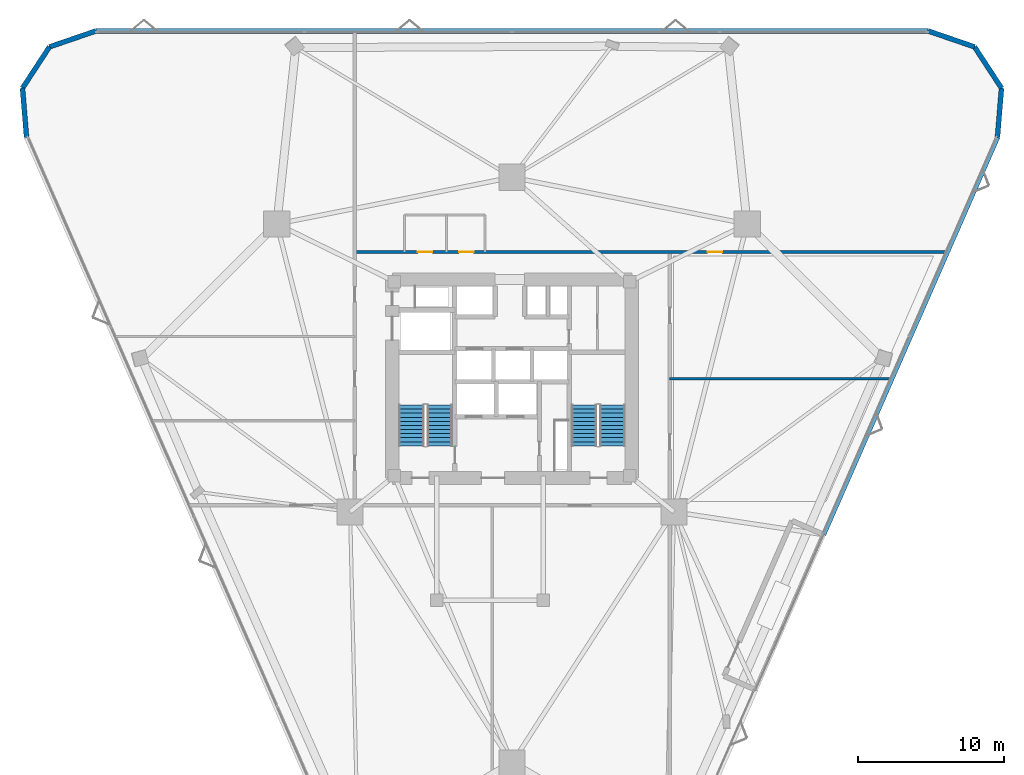
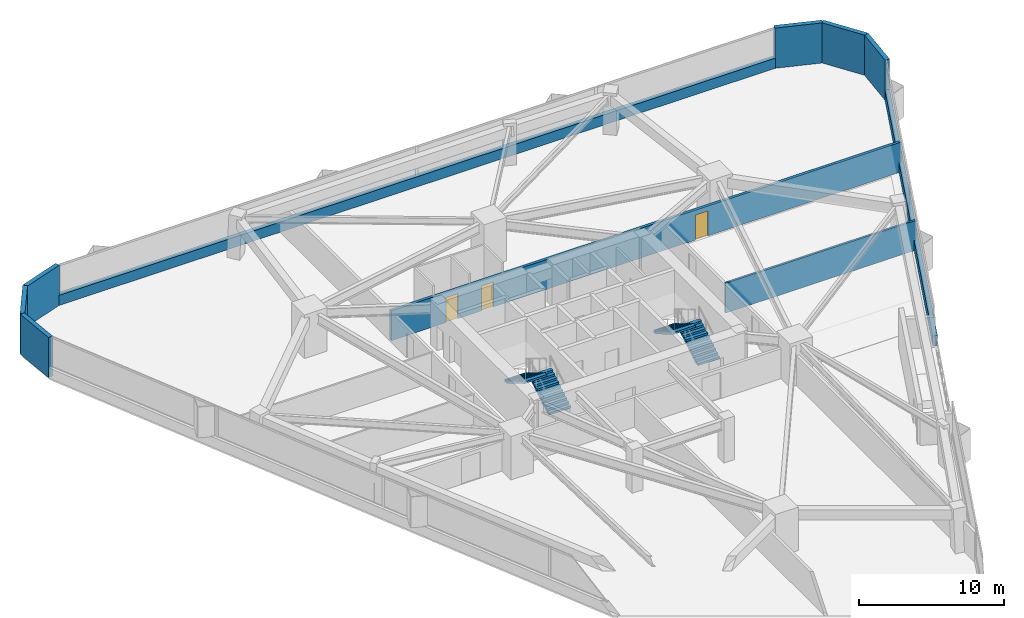
# One storey, part 14 of 16: 10 walls, 4 stair flights, 3 doors, 3 openings, 2 elements without a shape of their own.
"""IFC4 building model written with IfcOpenShell, lengths in metres."""

from ifc_helpers import new_model, si_unit, direction, frame, frame_2d, origin, place, context, subcontext, project, spatial, polyline, rectangle, outline, extrude, material, layer, layer_set, type_object, element, fill, aggregate, save


model = new_model("IFC4")

# Units and contexts
model_context = context("Model", 3, precision=1e-05, world=origin(), true_north=direction((0.0, 1.0)))
body_context = subcontext(model_context, "Body", "Model", "MODEL_VIEW")
ifc_project = project(units=[si_unit("LENGTHUNIT", "METRE"), si_unit("AREAUNIT", "SQUARE_METRE"), si_unit("VOLUMEUNIT", "CUBIC_METRE"), si_unit("PLANEANGLEUNIT", "RADIAN"), si_unit("MASSUNIT", "GRAM", prefix="KILO")], contexts=[model_context])

# Site, building, storey
site_placement = place(None, origin())
site = spatial("IfcSite", under=ifc_project, at=site_placement, CompositionType="ELEMENT")
building_placement = place(site_placement, origin())
building = spatial("IfcBuilding", under=site, at=building_placement, Name="Talyreon Biosciences Tower", CompositionType="ELEMENT")
storey_placement = place(building_placement, frame((0.0, 0.0, 44.699951171875)))
storey = spatial("IfcBuildingStorey", under=building, at=storey_placement, Name="L11", CompositionType="ELEMENT", Elevation=44.699951171875)

# Wall, openings, doors
ifc_material_1 = material(Name="Gypsum fireboard acoustic stud", Category="gypsum")
ifc_layer_1 = layer(ifc_material_1, 0.219970703125)
ifc_layer_set_1 = layer_set([ifc_layer_1], Name="Gypsum fireboard acoustic stud")
wall_type_1 = type_object("IfcWallType", Name="CorridorRatedPartition_220", PredefinedType="PARTITIONING", material=ifc_layer_set_1)
wall_1_placement = place(storey_placement, frame((55.22998046875, 76.669921875, 0.0), z_axis=(0.0, 0.0, 1.0), x_axis=(1.0, 0.0, 0.0)))
wall_1 = element("IfcWall", 1, at=wall_1_placement, inside=storey, type_object=wall_type_1, Name="L11 Interior Wall IW-L11-COR-N", PredefinedType="PARTITIONING", context=body_context, shape_type="SweptSolid", body=[
    extrude(rectangle(XDim=40.4775390625, YDim=0.219970703125, at=frame_2d((20.23876953125, 0.0))), origin(), (0.0, 0.0, 1.0), 2.505126953125),
])
opening_1_placement = place(wall_1_placement, frame((4.330078125, 0.0, 0.0)))
opening_1 = element("IfcOpeningElement", 2, at=opening_1_placement, cuts=wall_1, Name="Opening DR-L11-WC", PredefinedType="OPENING", context=body_context, shape_type="SweptSolid", body=[
    extrude(rectangle(XDim=0.97998046875, YDim=2.10009765625, at=frame_2d((0.489990234375, 1.050048828125))), frame((0.0, 0.119873046875, 0.0), z_axis=(0.0, -1.0, 0.0), x_axis=(1.0, 0.0, 0.0)), (0.0, 0.0, 1.0), 0.239990234375),
])
opening_2_placement = place(wall_1_placement, frame((7.155029296875, 0.0, 0.0)))
opening_2 = element("IfcOpeningElement", 3, at=opening_2_placement, cuts=wall_1, Name="Opening DR-L11-AWC", PredefinedType="OPENING", context=body_context, shape_type="SweptSolid", body=[
    extrude(rectangle(XDim=0.97998046875, YDim=2.10009765625, at=frame_2d((0.489990234375, 1.050048828125))), frame((0.0, 0.119873046875, 0.0), z_axis=(0.0, -1.0, 0.0), x_axis=(1.0, 0.0, 0.0)), (0.0, 0.0, 1.0), 0.239990234375),
])
opening_3_placement = place(wall_1_placement, frame((24.1640625, 0.0, 0.0)))
opening_3 = element("IfcOpeningElement", 4, at=opening_3_placement, cuts=wall_1, Name="Opening DR-L11-N1A", PredefinedType="OPENING", context=body_context, shape_type="SweptSolid", body=[
    extrude(rectangle(XDim=1.0, YDim=2.10009765625, at=frame_2d((0.5, 1.050048828125))), frame((0.0, 0.119873046875, 0.0), z_axis=(0.0, -1.0, 0.0), x_axis=(1.0, 0.0, 0.0)), (0.0, 0.0, 1.0), 0.239990234375),
])
ifc_material_2 = material(Name="Laminate moisture-resistant door", Category="wood")
door_type_1 = type_object("IfcDoorType", Name="AccessibleToiletDoor_980x2100", OperationType="NOTDEFINED", PredefinedType="DOOR", material=ifc_material_2)
door_1_placement = place(opening_1_placement, origin())
door_1 = element("IfcDoor", 5, at=door_1_placement, inside=storey, type_object=door_type_1, Name="L11 Interior Door DR-L11-WC", OperationType="SINGLE_SWING_LEFT", OverallHeight=2.10009765625, OverallWidth=0.97998046875, PredefinedType="DOOR", context=body_context, shape_type="SweptSolid", body=[
    extrude(rectangle(XDim=0.97998046875, YDim=2.10009765625, at=frame_2d((0.489990234375, 1.050048828125))), frame((0.0, 0.02490234375, 0.0), z_axis=(0.0, -1.0, 0.0), x_axis=(1.0, 0.0, 0.0)), (0.0, 0.0, 1.0), 0.050048828125),
])
fill(opening_1, door_1)
door_2_placement = place(opening_2_placement, origin())
door_2 = element("IfcDoor", 6, at=door_2_placement, inside=storey, type_object=door_type_1, Name="L11 Interior Door DR-L11-AWC", OperationType="SINGLE_SWING_RIGHT", OverallHeight=2.10009765625, OverallWidth=0.97998046875, PredefinedType="DOOR", context=body_context, shape_type="SweptSolid", body=[
    extrude(rectangle(XDim=0.97998046875, YDim=2.10009765625, at=frame_2d((0.489990234375, 1.050048828125))), frame((0.0, 0.02490234375, 0.0), z_axis=(0.0, -1.0, 0.0), x_axis=(1.0, 0.0, 0.0)), (0.0, 0.0, 1.0), 0.050048828125),
])
fill(opening_2, door_2)
ifc_material_3 = material(Name="Acoustic oak veneer office door", Category="wood")
door_type_2 = type_object("IfcDoorType", Name="WriteupOfficeDoor_1000x2100", OperationType="NOTDEFINED", PredefinedType="DOOR", material=ifc_material_3)
door_3_placement = place(opening_3_placement, origin())
door_3 = element("IfcDoor", 7, at=door_3_placement, inside=storey, type_object=door_type_2, Name="L11 Interior Door DR-L11-N1A", OperationType="SINGLE_SWING_LEFT", OverallHeight=2.10009765625, OverallWidth=1.0, PredefinedType="DOOR", context=body_context, shape_type="SweptSolid", body=[
    extrude(rectangle(XDim=1.0, YDim=2.10009765625, at=frame_2d((0.5, 1.050048828125))), frame((0.0, 0.02490234375, 0.0), z_axis=(0.0, -1.0, 0.0), x_axis=(1.0, 0.0, 0.0)), (0.0, 0.0, 1.0), 0.050048828125),
])
fill(opening_3, door_3)

# Walls
ifc_material_4 = material(Name="Gypsum acoustic stud partition", Category="gypsum")
ifc_layer_2 = layer(ifc_material_4, 0.159912109375)
ifc_layer_set_2 = layer_set([ifc_layer_2], Name="Gypsum acoustic stud partition")
wall_type_2 = type_object("IfcWallType", Name="LabSeparationPartition_160", PredefinedType="PARTITIONING", material=ifc_layer_set_2)
wall_2_placement = place(storey_placement, frame((76.800048828125, 68.0, 0.0), z_axis=(0.0, 0.0, 1.0), x_axis=(1.0, 0.0, 0.0)))
element("IfcWall", 8, at=wall_2_placement, inside=storey, type_object=wall_type_2, Name="L11 Interior Wall IW-L11-EDIV1", PredefinedType="PARTITIONING", context=body_context, shape_type="SweptSolid", body=[
    extrude(rectangle(XDim=15.111083984375, YDim=0.159912109375, at=frame_2d((7.5556640625, 0.0))), origin(), (0.0, 0.0, 1.0), 2.505126953125),
])
ifc_material_5 = material(Name="Precast concrete C45/55", Category="concrete")
ifc_layer_3 = layer(ifc_material_5, 0.340087890625)
ifc_layer_set_3 = layer_set([ifc_layer_3], Name="Precast concrete C45/55")
wall_type_3 = type_object("IfcWallType", Name="PrecastConcreteSpandrelWall_340", PredefinedType="STANDARD", material=ifc_layer_set_3)
wall_3_placement = place(storey_placement, frame((32.755859375, 84.534912109375, 0.0), z_axis=(0.0, 0.0, 1.0), x_axis=(-0.082010022953, 0.996631504687, 0.0)))
element("IfcWall", 9, at=wall_3_placement, inside=storey, type_object=wall_type_3, Name="L11 Rounded-Corner Concrete Pier 00", PredefinedType="STANDARD", context=body_context, shape_type="SweptSolid", body=[
    extrude(rectangle(XDim=3.3759765625, YDim=0.340087890625, at=frame_2d((1.68798828125, 0.0))), origin(), (0.0, 0.0, 1.0), 3.375),
])
wall_4_placement = place(storey_placement, frame((32.47900390625, 87.8994140625, 0.0), z_axis=(0.0, 0.0, 1.0), x_axis=(0.547200646652, 0.837001464935, 0.0)))
element("IfcWall", 10, at=wall_4_placement, inside=storey, type_object=wall_type_3, Name="L11 Rounded-Corner Concrete Pier 01", PredefinedType="STANDARD", context=body_context, shape_type="SweptSolid", body=[
    extrude(rectangle(XDim=3.375732421875, YDim=0.340087890625, at=frame_2d((1.68798828125, 0.0))), origin(), (0.0, 0.0, 1.0), 3.375),
])
wall_5_placement = place(storey_placement, frame((34.326171875, 90.724853515625, 0.0), z_axis=(0.0, 0.0, 1.0), x_axis=(0.945840034207, 0.324633069314, 0.0)))
element("IfcWall", 11, at=wall_5_placement, inside=storey, type_object=wall_type_3, Name="L11 Rounded-Corner Concrete Pier 02", PredefinedType="STANDARD", context=body_context, shape_type="SweptSolid", body=[
    extrude(rectangle(XDim=3.3759765625, YDim=0.340087890625, at=frame_2d((1.68798828125, 0.0))), origin(), (0.0, 0.0, 1.0), 3.375),
])
wall_6_placement = place(storey_placement, frame((37.519287109375, 91.82080078125, 0.0), z_axis=(0.0, 0.0, 1.0), x_axis=(1.0, 0.0, 0.0)))
element("IfcWall", 12, at=wall_6_placement, inside=storey, type_object=wall_type_3, Name="L11 Expressed Concrete Sill Wall 03", PredefinedType="STANDARD", context=body_context, shape_type="SweptSolid", body=[
    extrude(rectangle(XDim=56.96142578125, YDim=0.340087890625, at=frame_2d((28.480712890625, 0.0))), origin(), (0.0, 0.0, 1.0), 0.85009765625),
])
wall_7_placement = place(storey_placement, frame((94.480712890625, 91.82080078125, 0.0), z_axis=(0.0, 0.0, 1.0), x_axis=(0.945840034207, -0.324633069314, 0.0)))
element("IfcWall", 13, at=wall_7_placement, inside=storey, type_object=wall_type_3, Name="L11 Rounded-Corner Concrete Pier 04", PredefinedType="STANDARD", context=body_context, shape_type="SweptSolid", body=[
    extrude(rectangle(XDim=3.3759765625, YDim=0.340087890625, at=frame_2d((1.68798828125, 0.0))), origin(), (0.0, 0.0, 1.0), 3.375),
])
wall_8_placement = place(storey_placement, frame((97.673828125, 90.724853515625, 0.0), z_axis=(0.0, 0.0, 1.0), x_axis=(0.547200646652, -0.837001464935, 0.0)))
element("IfcWall", 14, at=wall_8_placement, inside=storey, type_object=wall_type_3, Name="L11 Rounded-Corner Concrete Pier 05", PredefinedType="STANDARD", context=body_context, shape_type="SweptSolid", body=[
    extrude(rectangle(XDim=3.375732421875, YDim=0.340087890625, at=frame_2d((1.68798828125, 0.0))), origin(), (0.0, 0.0, 1.0), 3.375),
])
wall_9_placement = place(storey_placement, frame((99.52099609375, 87.8994140625, 0.0), z_axis=(0.0, 0.0, 1.0), x_axis=(-0.082010022953, -0.996631504687, 0.0)))
element("IfcWall", 15, at=wall_9_placement, inside=storey, type_object=wall_type_3, Name="L11 Rounded-Corner Concrete Pier 06", PredefinedType="STANDARD", context=body_context, shape_type="SweptSolid", body=[
    extrude(rectangle(XDim=3.3759765625, YDim=0.340087890625, at=frame_2d((1.68798828125, 0.0))), origin(), (0.0, 0.0, 1.0), 3.375),
])
wall_10_placement = place(storey_placement, frame((99.244140625, 84.534912109375, 0.0), z_axis=(0.0, 0.0, 1.0), x_axis=(-0.401102097931, -0.916033354761, 0.0)))
element("IfcWall", 16, at=wall_10_placement, inside=storey, type_object=wall_type_3, Name="L11 Expressed Concrete Sill Wall 07", PredefinedType="STANDARD", context=body_context, shape_type="SweptSolid", body=[
    extrude(rectangle(XDim=29.703369140625, YDim=0.340087890625, at=frame_2d((14.8515625, 0.0))), origin(), (0.0, 0.0, 1.0), 0.85009765625),
])

# Stair, stair flights
ifc_material_6 = material(Name="Concrete C40/50", Category="concrete")
stair_type = type_object("IfcStairType", Name="DoglegEscapeStair_3650", PredefinedType="HALF_TURN_STAIR", material=ifc_material_6)
stair_1_placement = place(storey_placement, origin())
stair_1 = element("IfcStair", 17, at=stair_1_placement, inside=storey, type_object=stair_type, Name="L11 Core Escape Stair 1", PredefinedType="HALF_TURN_STAIR")
stair_flight_type = type_object("IfcStairFlightType", Name="PrecastStairFlight_3650", PredefinedType="STRAIGHT", material=ifc_material_6)
stair_flight_1_placement = place(storey_placement, frame((61.06005859375, 63.39990234375, 0.0), z_axis=(0.0, 0.0, 1.0), x_axis=(0.0, 1.0, 0.0)))
stair_flight_1 = element("IfcStairFlight", 18, at=stair_flight_1_placement, type_object=stair_flight_type, Name="ST-1 flight 1", NumberOfRisers=11, NumberOfTreads=10, PredefinedType="STRAIGHT", RiserHeight=0.165909091, TreadLength=0.28, context=body_context, shape_type="SweptSolid", body=[
    extrude(outline(polyline([(0.0, 0.0), (0.0, 0.166015625), (0.280029296875, 0.166015625), (0.280029296875, 0.331787109375), (0.56005859375, 0.331787109375), (0.56005859375, 0.497802734375), (0.840087890625, 0.497802734375), (0.840087890625, 0.66357421875), (1.1201171875, 0.66357421875), (1.1201171875, 0.82958984375), (1.39990234375, 0.82958984375), (1.39990234375, 0.995361328125), (1.679931640625, 0.995361328125), (1.679931640625, 1.161376953125), (1.9599609375, 1.161376953125), (1.9599609375, 1.327392578125), (2.239990234375, 1.327392578125), (2.239990234375, 1.4931640625), (2.52001953125, 1.4931640625), (2.52001953125, 1.6591796875), (2.800048828125, 1.6591796875), (2.800048828125, 1.824951171875), (2.800048828125, 1.48486328125), (0.2939453125, 0.0), (0.0, 0.0)])), frame((0.0, 0.8701171875, 0.0), z_axis=(0.0, -1.0, 0.0), x_axis=(1.0, 0.0, 0.0)), (0.0, 0.0, 1.0), 1.739990234375),
])
stair_flight_2_placement = place(storey_placement, frame((59.1201171875, 66.199951171875, 1.824951171875), z_axis=(0.0, 0.0, 1.0), x_axis=(0.0, -1.0, 0.0)))
stair_flight_2 = element("IfcStairFlight", 19, at=stair_flight_2_placement, type_object=stair_flight_type, Name="ST-1 flight 2", NumberOfRisers=11, NumberOfTreads=10, PredefinedType="STRAIGHT", RiserHeight=0.165909091, TreadLength=0.28, context=body_context, shape_type="SweptSolid", body=[
    extrude(outline(polyline([(0.0, 0.0), (0.0, 0.166015625), (0.280029296875, 0.166015625), (0.280029296875, 0.331787109375), (0.56005859375, 0.331787109375), (0.56005859375, 0.497802734375), (0.840087890625, 0.497802734375), (0.840087890625, 0.66357421875), (1.1201171875, 0.66357421875), (1.1201171875, 0.82958984375), (1.39990234375, 0.82958984375), (1.39990234375, 0.995361328125), (1.679931640625, 0.995361328125), (1.679931640625, 1.161376953125), (1.9599609375, 1.161376953125), (1.9599609375, 1.327392578125), (2.239990234375, 1.327392578125), (2.239990234375, 1.4931640625), (2.52001953125, 1.4931640625), (2.52001953125, 1.6591796875), (2.800048828125, 1.6591796875), (2.800048828125, 1.824951171875), (2.800048828125, 1.48486328125), (0.2939453125, 0.0), (0.0, 0.0)])), frame((0.0, 0.8701171875, 0.0), z_axis=(0.0, -1.0, 0.0), x_axis=(1.0, 0.0, 0.0)), (0.0, 0.0, 1.0), 1.739990234375),
])
aggregate(stair_1, [stair_flight_1, stair_flight_2])

stair_2_placement = place(storey_placement, origin())
stair_2 = element("IfcStair", 20, at=stair_2_placement, inside=storey, type_object=stair_type, Name="L11 Core Escape Stair 2", PredefinedType="HALF_TURN_STAIR")
stair_flight_3_placement = place(storey_placement, frame((72.8798828125, 63.39990234375, 0.0), z_axis=(0.0, 0.0, 1.0), x_axis=(0.0, 1.0, 0.0)))
stair_flight_3 = element("IfcStairFlight", 21, at=stair_flight_3_placement, type_object=stair_flight_type, Name="ST-2 flight 1", NumberOfRisers=11, NumberOfTreads=10, PredefinedType="STRAIGHT", RiserHeight=0.165909091, TreadLength=0.28, context=body_context, shape_type="SweptSolid", body=[
    extrude(outline(polyline([(0.0, 0.0), (0.0, 0.166015625), (0.280029296875, 0.166015625), (0.280029296875, 0.331787109375), (0.56005859375, 0.331787109375), (0.56005859375, 0.497802734375), (0.840087890625, 0.497802734375), (0.840087890625, 0.66357421875), (1.1201171875, 0.66357421875), (1.1201171875, 0.82958984375), (1.39990234375, 0.82958984375), (1.39990234375, 0.995361328125), (1.679931640625, 0.995361328125), (1.679931640625, 1.161376953125), (1.9599609375, 1.161376953125), (1.9599609375, 1.327392578125), (2.239990234375, 1.327392578125), (2.239990234375, 1.4931640625), (2.52001953125, 1.4931640625), (2.52001953125, 1.6591796875), (2.800048828125, 1.6591796875), (2.800048828125, 1.824951171875), (2.800048828125, 1.48486328125), (0.2939453125, 0.0), (0.0, 0.0)])), frame((0.0, 0.8701171875, 0.0), z_axis=(0.0, -1.0, 0.0), x_axis=(1.0, 0.0, 0.0)), (0.0, 0.0, 1.0), 1.739990234375),
])
stair_flight_4_placement = place(storey_placement, frame((70.93994140625, 66.199951171875, 1.824951171875), z_axis=(0.0, 0.0, 1.0), x_axis=(0.0, -1.0, 0.0)))
stair_flight_4 = element("IfcStairFlight", 22, at=stair_flight_4_placement, type_object=stair_flight_type, Name="ST-2 flight 2", NumberOfRisers=11, NumberOfTreads=10, PredefinedType="STRAIGHT", RiserHeight=0.165909091, TreadLength=0.28, context=body_context, shape_type="SweptSolid", body=[
    extrude(outline(polyline([(0.0, 0.0), (0.0, 0.166015625), (0.280029296875, 0.166015625), (0.280029296875, 0.331787109375), (0.56005859375, 0.331787109375), (0.56005859375, 0.497802734375), (0.840087890625, 0.497802734375), (0.840087890625, 0.66357421875), (1.1201171875, 0.66357421875), (1.1201171875, 0.82958984375), (1.39990234375, 0.82958984375), (1.39990234375, 0.995361328125), (1.679931640625, 0.995361328125), (1.679931640625, 1.161376953125), (1.9599609375, 1.161376953125), (1.9599609375, 1.327392578125), (2.239990234375, 1.327392578125), (2.239990234375, 1.4931640625), (2.52001953125, 1.4931640625), (2.52001953125, 1.6591796875), (2.800048828125, 1.6591796875), (2.800048828125, 1.824951171875), (2.800048828125, 1.48486328125), (0.2939453125, 0.0), (0.0, 0.0)])), frame((0.0, 0.8701171875, 0.0), z_axis=(0.0, -1.0, 0.0), x_axis=(1.0, 0.0, 0.0)), (0.0, 0.0, 1.0), 1.739990234375),
])
aggregate(stair_2, [stair_flight_3, stair_flight_4])

save(model, "model.ifc")
